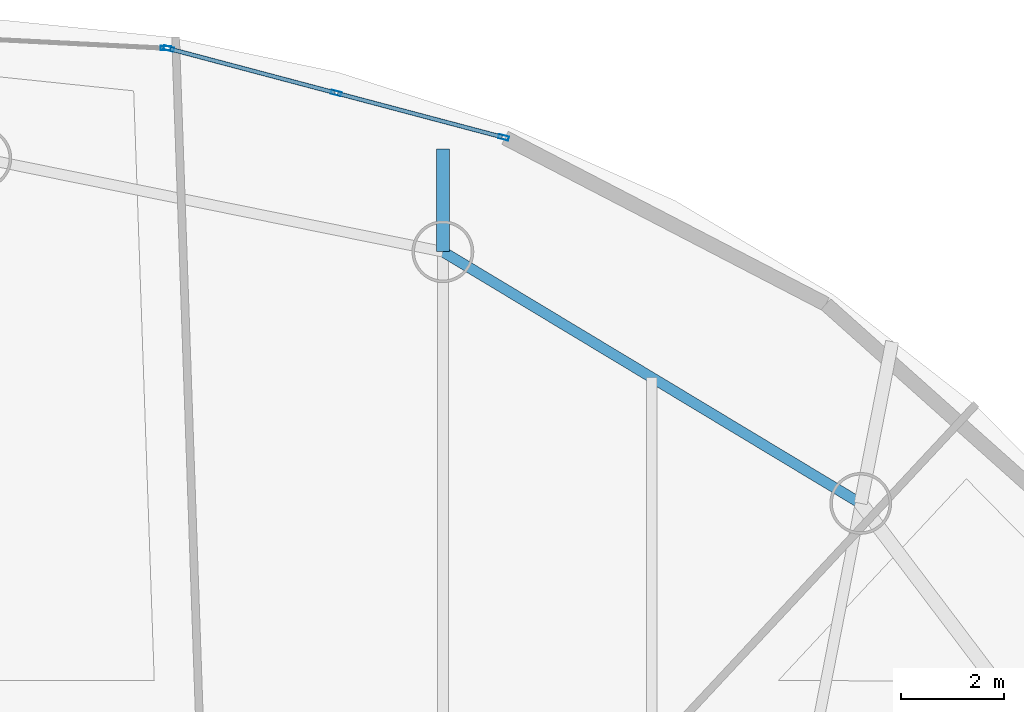
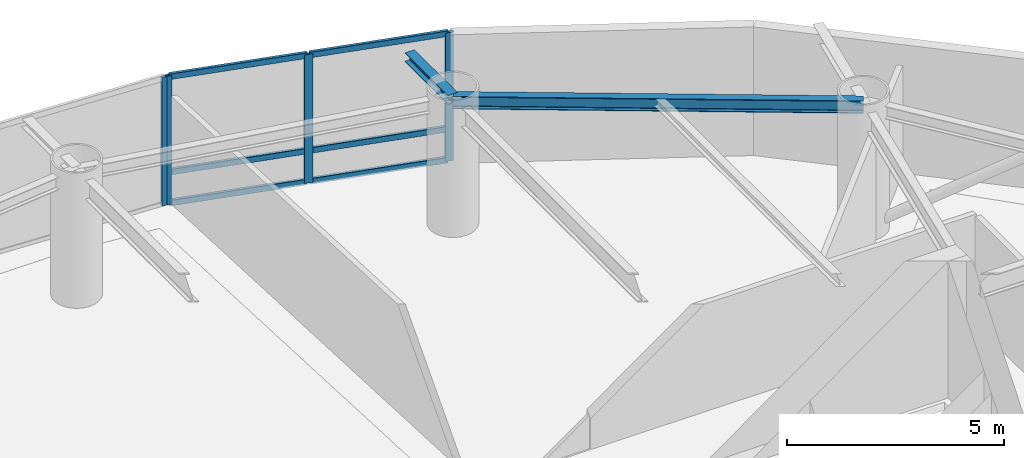
# One storey, part 13 of 20: 10 members, 2 beams, 2 elements without a shape of their own.
"""IFC4 building model written with IfcOpenShell, lengths in metres."""

from ifc_helpers import new_model, si_unit, direction, frame, origin, origin_2d, place, context, subcontext, project, spatial, hollow_rectangle, i_section, extrude, material, layer, layer_set, material_profile, profile_set, type_object, element, aggregate, save


model = new_model("IFC4")

# Units and contexts
model_context = context("Model", 3, precision=1e-05, world=origin(), true_north=direction((0.0, 1.0)))
body_context = subcontext(model_context, "Body", "Model", "MODEL_VIEW")
ifc_project = project(units=[si_unit("LENGTHUNIT", "METRE"), si_unit("AREAUNIT", "SQUARE_METRE"), si_unit("VOLUMEUNIT", "CUBIC_METRE"), si_unit("PLANEANGLEUNIT", "RADIAN"), si_unit("MASSUNIT", "GRAM", prefix="KILO")], contexts=[model_context])

# Site, building, storey
site_placement = place(None, origin())
site = spatial("IfcSite", under=ifc_project, at=site_placement, CompositionType="ELEMENT")
building_placement = place(site_placement, origin())
building = spatial("IfcBuilding", under=site, at=building_placement, Name="Bramvorn Convention Spire", CompositionType="ELEMENT")
storey_placement = place(building_placement, frame((0.0, 0.0, 228.949951171875)))
storey = spatial("IfcBuildingStorey", under=building, at=storey_placement, Name="L58", CompositionType="ELEMENT", Elevation=228.949951171875)

# Beams
ifc_material_1 = material(Name="Steel CSA G40.21 Grade 350 (350W)", Category="steel")
ifc_material_profile_1 = material_profile(ifc_material_1, i_section(OverallWidth=0.25390625, OverallDepth=0.2529296875, WebThickness=0.008544921875, FlangeThickness=0.01416015625, FilletRadius=0.011962890625, at=origin_2d()))
ifc_profile_set_1 = profile_set([ifc_material_profile_1], Name="Steel CSA G40.21 Grade 350 (350W) - W250X73")
beam_type_1 = type_object("IfcBeamType", Name="BM-W250X73", PredefinedType="BEAM", material=ifc_profile_set_1)
beam_1_placement = place(storey_placement, frame((42.38916015625, 44.772216796875, 3.49365234375), z_axis=(0.0, 1.0, 0.0), x_axis=(-1.0, 0.0, 0.0)))
element("IfcBeam", 1, at=beam_1_placement, inside=storey, type_object=beam_type_1, Name="L58 slab-edge cantilever tip beam MC06", PredefinedType="BEAM", context=body_context, shape_type="SweptSolid", body=[
    extrude(i_section(OverallWidth=0.25390625, OverallDepth=0.2529296875, WebThickness=0.008544921875, FlangeThickness=0.01416015625, FilletRadius=0.011962890625, at=origin_2d()), origin(), (0.0, 0.0, 1.0), 1.990966796875),
])
ifc_material_profile_2 = material_profile(ifc_material_1, i_section(OverallWidth=0.205078125, OverallDepth=0.35400390625, WebThickness=0.009521484375, FlangeThickness=0.016845703125, FilletRadius=0.014892578125, at=origin_2d()))
ifc_profile_set_2 = profile_set([ifc_material_profile_2], Name="Steel CSA G40.21 Grade 350 (350W) - W360X79")
beam_type_2 = type_object("IfcBeamType", Name="BM-W360X79", PredefinedType="JOIST", material=ifc_profile_set_2)
beam_2_placement = place(storey_placement, frame((50.501953125, 39.885009765625, 3.443115234375), z_axis=(-0.856581795745, 0.516011266543, 0.0), x_axis=(-0.516011266543, -0.856581795745, 0.0)))
element("IfcBeam", 2, at=beam_2_placement, inside=storey, type_object=beam_type_2, Name="L58 mega-column ring beam 05", PredefinedType="JOIST", context=body_context, shape_type="SweptSolid", body=[
    extrude(i_section(OverallWidth=0.205078125, OverallDepth=0.35400390625, WebThickness=0.009521484375, FlangeThickness=0.016845703125, FilletRadius=0.014892578125, at=origin_2d()), origin(), (0.0, 0.0, 1.0), 9.47119140625),
])

# Curtain wall, members
ifc_material_2 = material(Name="Anodised Bronze Unitised Curtain Wall", Category="aluminium")
ifc_layer = layer(ifc_material_2, 0.179931640625)
ifc_layer_set = layer_set([ifc_layer], Name="Anodised Bronze Unitised Curtain Wall - CW-OFF-FRIT")
curtain_wall_type = type_object("IfcCurtainWallType", Name="CW-OFF-FRIT", PredefinedType="USERDEFINED", material=ifc_layer_set)
curtain_wall_1_placement = place(storey_placement, origin())
curtain_wall_1 = element("IfcCurtainWall", 3, at=curtain_wall_1_placement, inside=storey, type_object=curtain_wall_type, Name="L58 fritted glass curtain wall 09", ObjectType="UNITISED CURTAIN WALL", PredefinedType="USERDEFINED")
ifc_material_3 = material(Name="Anodised Bronze Aluminium 6063-T6", Category="aluminium")
ifc_material_profile_3 = material_profile(ifc_material_3, hollow_rectangle(XDim=0.080078125, YDim=0.199951171875, WallThickness=0.00390625, InnerFilletRadius=0.0009765625, OuterFilletRadius=0.00390625, at=origin_2d()))
ifc_profile_set_3 = profile_set([ifc_material_profile_3], Name="Anodised Bronze Aluminium 6063-T6 - CWM80X200")
member_type_1 = type_object("IfcMemberType", Name="CW-MUL-180", PredefinedType="MULLION", material=ifc_profile_set_3)
member_1_placement = place(storey_placement, frame((37.06787109375, 48.714599609375, 0.0), z_axis=(0.0, 0.0, 1.0), x_axis=(0.256245002768, 0.966611865516, 0.0)))
member_1 = element("IfcMember", 4, at=member_1_placement, type_object=member_type_1, Name="CW3 mullion 1", PredefinedType="MULLION", context=body_context, shape_type="SweptSolid", body=[
    extrude(hollow_rectangle(XDim=0.080078125, YDim=0.199951171875, WallThickness=0.00390625, InnerFilletRadius=0.0009765625, OuterFilletRadius=0.00390625, at=origin_2d()), origin(), (0.0, 0.0, 1.0), 3.6201171875),
])
member_2_placement = place(storey_placement, frame((40.31787109375, 47.85302734375, 0.0), z_axis=(0.0, 0.0, 1.0), x_axis=(0.256245002768, 0.966611865516, 0.0)))
member_2 = element("IfcMember", 5, at=member_2_placement, type_object=member_type_1, Name="CW3 mullion 2", PredefinedType="MULLION", context=body_context, shape_type="SweptSolid", body=[
    extrude(hollow_rectangle(XDim=0.080078125, YDim=0.199951171875, WallThickness=0.00390625, InnerFilletRadius=0.0009765625, OuterFilletRadius=0.00390625, at=origin_2d()), origin(), (0.0, 0.0, 1.0), 3.6201171875),
])
member_3_placement = place(storey_placement, frame((43.56787109375, 46.991455078125, 0.0), z_axis=(0.0, 0.0, 1.0), x_axis=(0.256245002768, 0.966611865516, 0.0)))
member_3 = element("IfcMember", 6, at=member_3_placement, type_object=member_type_1, Name="CW3 mullion 3", PredefinedType="MULLION", context=body_context, shape_type="SweptSolid", body=[
    extrude(hollow_rectangle(XDim=0.080078125, YDim=0.199951171875, WallThickness=0.00390625, InnerFilletRadius=0.0009765625, OuterFilletRadius=0.00390625, at=origin_2d()), origin(), (0.0, 0.0, 1.0), 3.6201171875),
])

# Curtain wall, member
curtain_wall_2_placement = place(storey_placement, origin())
curtain_wall_2 = element("IfcCurtainWall", 7, at=curtain_wall_2_placement, inside=storey, type_object=curtain_wall_type, Name="L58 fritted glass curtain wall 10", ObjectType="UNITISED CURTAIN WALL", PredefinedType="USERDEFINED")
member_4_placement = place(storey_placement, frame((37.009033203125, 48.7236328125, 0.0), z_axis=(0.0, 0.0, 1.0), x_axis=(0.050960507272, 0.998700669219, 0.0)))
member_4 = element("IfcMember", 8, at=member_4_placement, type_object=member_type_1, Name="CW3 mullion 2", PredefinedType="MULLION", context=body_context, shape_type="SweptSolid", body=[
    extrude(hollow_rectangle(XDim=0.080078125, YDim=0.199951171875, WallThickness=0.00390625, InnerFilletRadius=0.0009765625, OuterFilletRadius=0.00390625, at=origin_2d()), origin(), (0.0, 0.0, 1.0), 3.6201171875),
])
aggregate(curtain_wall_2, [member_4])

# Member
ifc_material_profile_4 = material_profile(ifc_material_3, hollow_rectangle(XDim=0.080078125, YDim=0.159912109375, WallThickness=0.00390625, InnerFilletRadius=0.0009765625, OuterFilletRadius=0.00390625, at=origin_2d()))
ifc_profile_set_4 = profile_set([ifc_material_profile_4], Name="Anodised Bronze Aluminium 6063-T6 - CWT80X160")
member_type_2 = type_object("IfcMemberType", Name="CW-TRN-150", PredefinedType="USERDEFINED", material=ifc_profile_set_4)
member_5_placement = place(storey_placement, frame((37.096923828125, 48.706787109375, 0.030029296875), z_axis=(0.966609410945, -0.256254261766, 0.0), x_axis=(0.256254261766, 0.966609410945, 0.0)))
member_5 = element("IfcMember", 9, at=member_5_placement, type_object=member_type_2, Name="CW3 transom 1.1", ObjectType="TRANSOM", PredefinedType="USERDEFINED", context=body_context, shape_type="SweptSolid", body=[
    extrude(hollow_rectangle(XDim=0.080078125, YDim=0.159912109375, WallThickness=0.00390625, InnerFilletRadius=0.0009765625, OuterFilletRadius=0.00390625, at=origin_2d()), origin(), (0.0, 0.0, 1.0), 3.30224609375),
])

member_6_placement = place(storey_placement, frame((37.096923828125, 48.706787109375, 0.900146484375), z_axis=(0.966609410945, -0.256254261766, 0.0), x_axis=(0.256254261766, 0.966609410945, 0.0)))
member_6 = element("IfcMember", 10, at=member_6_placement, type_object=member_type_2, Name="CW3 transom 1.2", ObjectType="TRANSOM", PredefinedType="USERDEFINED", context=body_context, shape_type="SweptSolid", body=[
    extrude(hollow_rectangle(XDim=0.080078125, YDim=0.159912109375, WallThickness=0.00390625, InnerFilletRadius=0.0009765625, OuterFilletRadius=0.00390625, at=origin_2d()), origin(), (0.0, 0.0, 1.0), 3.30224609375),
])

member_7_placement = place(storey_placement, frame((37.096923828125, 48.706787109375, 3.590087890625), z_axis=(0.966609410945, -0.256254261766, 0.0), x_axis=(0.256254261766, 0.966609410945, 0.0)))
member_7 = element("IfcMember", 11, at=member_7_placement, type_object=member_type_2, Name="CW3 transom 1.3", ObjectType="TRANSOM", PredefinedType="USERDEFINED", context=body_context, shape_type="SweptSolid", body=[
    extrude(hollow_rectangle(XDim=0.080078125, YDim=0.159912109375, WallThickness=0.00390625, InnerFilletRadius=0.0009765625, OuterFilletRadius=0.00390625, at=origin_2d()), origin(), (0.0, 0.0, 1.0), 3.30224609375),
])

member_8_placement = place(storey_placement, frame((40.346923828125, 47.84521484375, 0.030029296875), z_axis=(0.966609410945, -0.256254261766, 0.0), x_axis=(0.256254261766, 0.966609410945, 0.0)))
member_8 = element("IfcMember", 12, at=member_8_placement, type_object=member_type_2, Name="CW3 transom 2.1", ObjectType="TRANSOM", PredefinedType="USERDEFINED", context=body_context, shape_type="SweptSolid", body=[
    extrude(hollow_rectangle(XDim=0.080078125, YDim=0.159912109375, WallThickness=0.00390625, InnerFilletRadius=0.0009765625, OuterFilletRadius=0.00390625, at=origin_2d()), origin(), (0.0, 0.0, 1.0), 3.30224609375),
])

member_9_placement = place(storey_placement, frame((40.346923828125, 47.84521484375, 0.900146484375), z_axis=(0.966609410945, -0.256254261766, 0.0), x_axis=(0.256254261766, 0.966609410945, 0.0)))
member_9 = element("IfcMember", 13, at=member_9_placement, type_object=member_type_2, Name="CW3 transom 2.2", ObjectType="TRANSOM", PredefinedType="USERDEFINED", context=body_context, shape_type="SweptSolid", body=[
    extrude(hollow_rectangle(XDim=0.080078125, YDim=0.159912109375, WallThickness=0.00390625, InnerFilletRadius=0.0009765625, OuterFilletRadius=0.00390625, at=origin_2d()), origin(), (0.0, 0.0, 1.0), 3.30224609375),
])

member_10_placement = place(storey_placement, frame((40.346923828125, 47.84521484375, 3.590087890625), z_axis=(0.966609410945, -0.256254261766, 0.0), x_axis=(0.256254261766, 0.966609410945, 0.0)))
member_10 = element("IfcMember", 14, at=member_10_placement, type_object=member_type_2, Name="CW3 transom 2.3", ObjectType="TRANSOM", PredefinedType="USERDEFINED", context=body_context, shape_type="SweptSolid", body=[
    extrude(hollow_rectangle(XDim=0.080078125, YDim=0.159912109375, WallThickness=0.00390625, InnerFilletRadius=0.0009765625, OuterFilletRadius=0.00390625, at=origin_2d()), origin(), (0.0, 0.0, 1.0), 3.30224609375),
])

aggregate(curtain_wall_1, [member_1, member_2, member_3, member_5, member_6, member_7, member_8, member_9, member_10])

save(model, "model.ifc")
